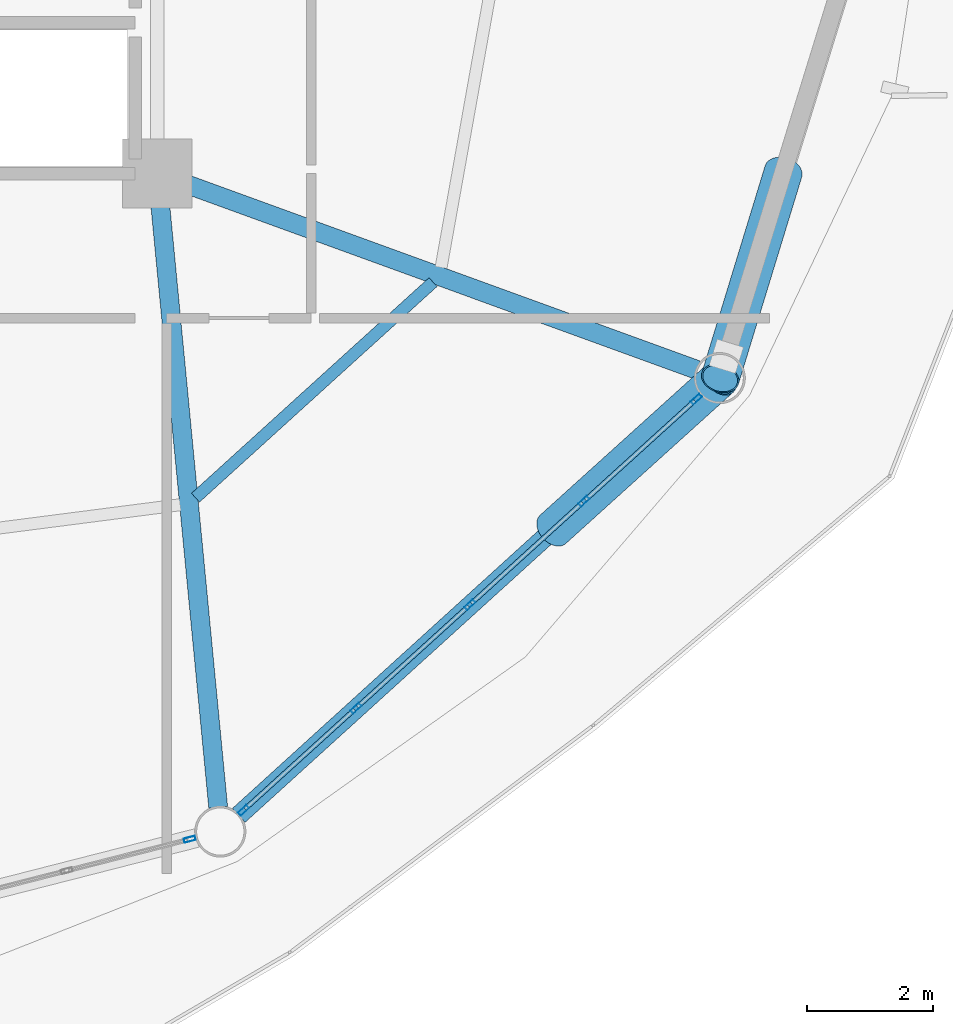
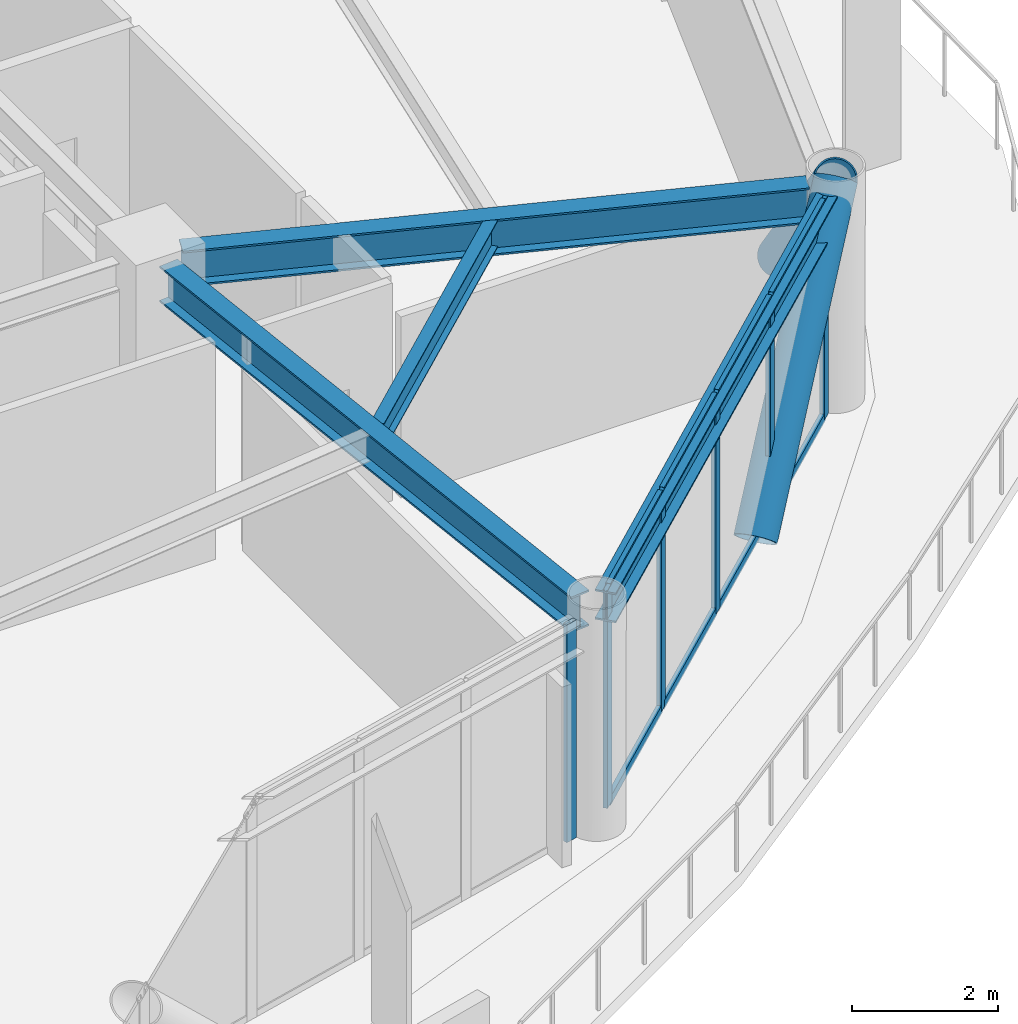
# One storey, part 11 of 23: 16 members, 4 beams, 2 elements without a shape of their own.
"""IFC4 building model written with IfcOpenShell, lengths in metres."""

import ifcopenshell
import ifcopenshell.guid

model = None  # the IFC model being written
_history = None  # IfcOwnerHistory: only IFC2X3 demands one
_inside = {}  # id of a spatial element -> (the spatial element, [elements in it])
_under = {}  # id of a project, library or spatial element -> (it, [spatial elements below it])
_declared = {}  # id of a project -> (the project, [libraries it declares])
_typed = {}  # id of a type object -> (the type object, [elements of that type])
_made_of = {}  # id of a material, layer set ... -> (it, [elements and type objects made of it])


def new_model(schema):
    """Start an empty IFC model of exactly this schema.

    Asked for "IFC4X3", IfcOpenShell would pick the latest addendum, in which some entities
    have other attributes; the version numbers below select the first issue.
    IFC2X3 requires an IfcOwnerHistory on every rooted entity: one is made here for all.
    """
    global model, _history
    if schema == "IFC4X3":
        model = ifcopenshell.file(schema_version=(4, 3, 0, 0))
    else:
        model = ifcopenshell.file(schema=schema)
    _inside.clear()
    _under.clear()
    _declared.clear()
    _typed.clear()
    _made_of.clear()
    _history = None
    if model.schema == "IFC2X3":
        org = make("IfcOrganization", Name="unknown")
        user = make(
            "IfcPersonAndOrganization",
            ThePerson=make("IfcPerson", FamilyName="unknown"),
            TheOrganization=org,
        )
        app = make(
            "IfcApplication",
            ApplicationDeveloper=org,
            Version="unknown",
            ApplicationFullName="unknown",
            ApplicationIdentifier="unknown",
        )
        _history = make(
            "IfcOwnerHistory",
            OwningUser=user,
            OwningApplication=app,
            ChangeAction="ADDED",
            CreationDate=0,
        )
    return model


def make(cls, **values):
    """One entity of the class cls with the attributes given. An attribute that is None is left unset."""
    return model.create_entity(
        cls, **{name: value for name, value in values.items() if value is not None}
    )


def rooted(cls, **values):
    """An entity with a GlobalId (a new one), such as an element, a storey or a relation."""
    return make(cls, GlobalId=ifcopenshell.guid.new(), OwnerHistory=_history, **values)


def si_unit(unit_type, name, prefix=None):
    """IfcSIUnit, for example si_unit("LENGTHUNIT", "METRE", prefix="MILLI")."""
    return make("IfcSIUnit", UnitType=unit_type, Prefix=prefix, Name=name)


def assignment(units):
    """IfcUnitAssignment: the units of a project."""
    return None if units is None else make("IfcUnitAssignment", Units=units)


def point(xyz):
    """IfcCartesianPoint."""
    return None if xyz is None else make("IfcCartesianPoint", Coordinates=xyz)


def direction(xyz):
    """IfcDirection."""
    return None if xyz is None else make("IfcDirection", DirectionRatios=xyz)


def frame(location, z_axis=None, x_axis=None):
    """IfcAxis2Placement3D, a coordinate frame: its origin and axes. An axis left out is left unset."""
    return make(
        "IfcAxis2Placement3D",
        Location=point(location),
        Axis=direction(z_axis),
        RefDirection=direction(x_axis),
    )


def frame_2d(location, x_axis=None):
    """IfcAxis2Placement2D, a coordinate frame in the plane: its origin and x axis."""
    return make(
        "IfcAxis2Placement2D", Location=point(location), RefDirection=direction(x_axis)
    )


def origin():
    """The frame at (0, 0, 0) with its axes left unset."""
    return frame((0.0, 0.0, 0.0))


def origin_2d():
    """The frame at (0, 0) in the plane with its x axis left unset."""
    return frame_2d((0.0, 0.0))


def place(relative_to, where):
    """IfcLocalPlacement: puts the frame where relative to a parent placement (None: the world)."""
    return make(
        "IfcLocalPlacement", PlacementRelTo=relative_to, RelativePlacement=where
    )


def context(
    kind, dimensions, precision=None, world=None, true_north=None, identifier=None
):
    """IfcGeometricRepresentationContext, for example the 3D "Model" context."""
    return make(
        "IfcGeometricRepresentationContext",
        ContextIdentifier=identifier,
        ContextType=kind,
        CoordinateSpaceDimension=dimensions,
        Precision=precision,
        WorldCoordinateSystem=world,
        TrueNorth=true_north,
    )


def subcontext(parent, identifier, kind, view, scale=None):
    """IfcGeometricRepresentationSubContext, for example "Body" below "Model"."""
    return make(
        "IfcGeometricRepresentationSubContext",
        ContextIdentifier=identifier,
        ContextType=kind,
        ParentContext=parent,
        TargetScale=scale,
        TargetView=view,
    )


def project(units=None, contexts=None):
    """IfcProject with its units and contexts."""
    return rooted(
        "IfcProject",
        Name="project",
        RepresentationContexts=contexts,
        UnitsInContext=assignment(units),
    )


def spatial(cls, under=None, at=None, **own):
    """A site, building, storey or space (cls), placed at a placement, below another one or the project."""
    s = rooted(cls, ObjectPlacement=at, **own)
    if under is not None:
        _under.setdefault(under.id(), (under, []))[1].append(s)
    return s


def profile(cls, at=None, kind="AREA", **sizes):
    """A parametric profile (cls). Its sizes go by their IFC names, for example OverallWidth=200.0."""
    return make(cls, ProfileType=kind, Position=at, **sizes)


def hollow_rectangle(**sizes):
    """IfcRectangleHollowProfileDef."""
    return profile("IfcRectangleHollowProfileDef", **sizes)


def hollow_circle(**sizes):
    """IfcCircleHollowProfileDef."""
    return profile("IfcCircleHollowProfileDef", **sizes)


def i_section(**sizes):
    """IfcIShapeProfileDef."""
    return profile("IfcIShapeProfileDef", **sizes)


def extrude(swept, where, along, depth):
    """IfcExtrudedAreaSolid: the profile swept, set in the frame where, extruded along a direction by depth."""
    return make(
        "IfcExtrudedAreaSolid",
        SweptArea=swept,
        Position=where,
        ExtrudedDirection=direction(along),
        Depth=depth,
    )


def shape(context_of_items, identifier, shape_type, items):
    """IfcShapeRepresentation: the items that make up one representation, for example the "Body"."""
    return make(
        "IfcShapeRepresentation",
        ContextOfItems=context_of_items,
        RepresentationIdentifier=identifier,
        RepresentationType=shape_type,
        Items=items,
    )


def material(Name=None, Category=None):
    """IfcMaterial."""
    return make("IfcMaterial", Name=Name, Category=Category)


def layer(
    of_material, thickness, ventilated=None, Name=None, Category=None, Priority=None
):
    """IfcMaterialLayer: one layer of a wall or slab, of a material (None: an air gap)."""
    return make(
        "IfcMaterialLayer",
        Material=of_material,
        LayerThickness=thickness,
        IsVentilated=ventilated,
        Name=Name,
        Category=Category,
        Priority=Priority,
    )


def layer_set(layers, Name=None):
    """IfcMaterialLayerSet."""
    return make("IfcMaterialLayerSet", MaterialLayers=layers, LayerSetName=Name)


def material_profile(
    of_material, cross_section, Name=None, Category=None, Priority=None
):
    """IfcMaterialProfile: a cross section and its material."""
    return make(
        "IfcMaterialProfile",
        Name=Name,
        Material=of_material,
        Profile=cross_section,
        Priority=Priority,
        Category=Category,
    )


def profile_set(profiles, Name=None, composite=None):
    """IfcMaterialProfileSet."""
    return make(
        "IfcMaterialProfileSet",
        Name=Name,
        MaterialProfiles=profiles,
        CompositeProfile=composite,
    )


def made_of(thing, what):
    """Note that an element or type object is made of a material, layer set ...; save() writes the relation."""
    if what is not None:
        _made_of.setdefault(what.id(), (what, []))[1].append(thing)
    return thing


def type_object(cls, material=None, **own):
    """A type object (cls), such as IfcWallType, which elements share."""
    return made_of(rooted(cls, **own), material)


def element(
    cls,
    number,
    at=None,
    inside=None,
    cuts=None,
    type_object=None,
    material=None,
    context=None,
    identifier="Body",
    shape_type=None,
    held_by="IfcProductDefinitionShape",
    body=None,
    shapes=None,
    **own,
):
    """One element of the class cls, such as IfcWall. Its Tag is "e" and its number.

    at: its placement. inside: the storey or other place that contains it. cuts: it is an
    opening in that element (IfcRelVoidsElement). A single representation is given by context,
    identifier, shape_type and body (its items); several are given by shapes. held_by: the class
    of the entity that holds the representations. save() writes the other relations.
    """
    e = rooted(cls, Tag="e%d" % number, ObjectPlacement=at, **own)
    if body is not None:
        shapes = [shape(context, identifier, shape_type, body)]
    if shapes is not None:
        e.Representation = make(held_by, Representations=shapes)
    if inside is not None:
        _inside.setdefault(inside.id(), (inside, []))[1].append(e)
    if cuts is not None:
        rooted(
            "IfcRelVoidsElement", RelatingBuildingElement=cuts, RelatedOpeningElement=e
        )
    if type_object is not None:
        _typed.setdefault(type_object.id(), (type_object, []))[1].append(e)
    return made_of(e, material)


def aggregate(whole, parts):
    """IfcRelAggregates: a whole, such as a stair, and the parts it consists of."""
    return rooted("IfcRelAggregates", RelatingObject=whole, RelatedObjects=parts)


def save(model, path):
    """Write the relations noted so far, then the file.

    IfcRelAggregates (storeys below a building ...), IfcRelContainedInSpatialStructure (elements
    in a storey), IfcRelDefinesByType, IfcRelAssociatesMaterial and IfcRelDeclares: one each for
    every whole, place, type object, material and project.
    """
    for whole, parts in _under.values():
        aggregate(whole, parts)
    for where, things in _inside.values():
        rooted(
            "IfcRelContainedInSpatialStructure",
            RelatedElements=things,
            RelatingStructure=where,
        )
    for kind, things in _typed.values():
        rooted("IfcRelDefinesByType", RelatedObjects=things, RelatingType=kind)
    for what, things in _made_of.values():
        rooted("IfcRelAssociatesMaterial", RelatedObjects=things, RelatingMaterial=what)
    for by, libraries in _declared.values():
        rooted("IfcRelDeclares", RelatingContext=by, RelatedDefinitions=libraries)
    model.write(path)


model = new_model("IFC4")

# Units and contexts
model_context = context("Model", 3, precision=1e-05, world=origin(), true_north=direction((0.0, 1.0)))
body_context = subcontext(model_context, "Body", "Model", "MODEL_VIEW")
ifc_project = project(units=[si_unit("LENGTHUNIT", "METRE"), si_unit("AREAUNIT", "SQUARE_METRE"), si_unit("VOLUMEUNIT", "CUBIC_METRE"), si_unit("PLANEANGLEUNIT", "RADIAN"), si_unit("MASSUNIT", "GRAM", prefix="KILO")], contexts=[model_context])

# Site, building, storey
site_placement = place(None, origin())
site = spatial("IfcSite", under=ifc_project, at=site_placement, CompositionType="ELEMENT")
building_placement = place(site_placement, origin())
building = spatial("IfcBuilding", under=site, at=building_placement, Name="Varnakorn Sky Granary", CompositionType="ELEMENT")
storey_placement = place(building_placement, frame((0.0, 0.0, 83.699951171875)))
storey = spatial("IfcBuildingStorey", under=building, at=storey_placement, Name="L20", CompositionType="ELEMENT", Elevation=83.699951171875)

# Beams
ifc_material_1 = material(Name="Steel S355JR", Category="steel")
ifc_material_profile_1 = material_profile(ifc_material_1, i_section(OverallWidth=0.300048828125, OverallDepth=0.60009765625, WebThickness=0.015380859375, FlangeThickness=0.030029296875, at=origin_2d()), Name="HE 600 B")
ifc_profile_set_1 = profile_set([ifc_material_profile_1], Name="Steel S355JR")
beam_type_1 = type_object("IfcBeamType", Name="BM-RAD-Z2", PredefinedType="BEAM", material=ifc_profile_set_1)
beam_1_placement = place(storey_placement, frame((8.39013671875, -7.01806640625, 3.340087890625), z_axis=(0.095764145217, -0.99540405288, 0.0), x_axis=(0.99540405288, 0.095764145217, 0.0)))
element("IfcBeam", 1, at=beam_1_placement, inside=storey, type_object=beam_type_1, Name="Radial Floor Girder RG11 L20", PredefinedType="BEAM", context=body_context, shape_type="SweptSolid", body=[
    extrude(i_section(OverallWidth=0.300048828125, OverallDepth=0.60009765625, WebThickness=0.015380859375, FlangeThickness=0.030029296875, at=origin_2d()), origin(), (0.0, 0.0, 1.0), 9.710693359375),
])
beam_2_placement = place(storey_placement, frame((8.74462890625, -6.74365234375, 3.340087890625), z_axis=(0.939768892469, -0.341810515852, 0.0), x_axis=(0.341810515852, 0.939768892469, 0.0)))
element("IfcBeam", 2, at=beam_2_placement, inside=storey, type_object=beam_type_1, Name="Radial Floor Girder RG12 L20", PredefinedType="BEAM", context=body_context, shape_type="SweptSolid", body=[
    extrude(i_section(OverallWidth=0.300048828125, OverallDepth=0.60009765625, WebThickness=0.015380859375, FlangeThickness=0.030029296875, at=origin_2d()), origin(), (0.0, 0.0, 1.0), 8.71826171875),
])
ifc_material_profile_2 = material_profile(ifc_material_1, i_section(OverallWidth=0.18994140625, OverallDepth=0.449951171875, WebThickness=0.009521484375, FlangeThickness=0.0146484375, at=origin_2d()), Name="IPE 450")
ifc_profile_set_2 = profile_set([ifc_material_profile_2], Name="Steel S355JR")
beam_type_2 = type_object("IfcBeamType", Name="BM-SEC-Z2", PredefinedType="BEAM", material=ifc_profile_set_2)
beam_3_placement = place(storey_placement, frame((8.958740234375, -11.757080078125, 3.4150390625), z_axis=(0.740509158013, 0.672046268421, 0.0), x_axis=(-0.672046268421, 0.740509158013, 0.0)))
element("IfcBeam", 3, at=beam_3_placement, inside=storey, type_object=beam_type_2, Name="Secondary Floor Chord Beam MSB11 L20", PredefinedType="BEAM", context=body_context, shape_type="SweptSolid", body=[
    extrude(i_section(OverallWidth=0.18994140625, OverallDepth=0.449951171875, WebThickness=0.009521484375, FlangeThickness=0.0146484375, at=origin_2d()), origin(), (0.0, 0.0, 1.0), 5.10302734375),
])
ifc_material_profile_3 = material_profile(ifc_material_1, i_section(OverallWidth=0.300048828125, OverallDepth=0.5, WebThickness=0.014404296875, FlangeThickness=0.028076171875, at=origin_2d()), Name="HE 500 B")
ifc_profile_set_3 = profile_set([ifc_material_profile_3], Name="Steel S355JR")
beam_type_3 = type_object("IfcBeamType", Name="BM-SPD-Z2", PredefinedType="SPANDREL", material=ifc_profile_set_3)
beam_4_placement = place(storey_placement, frame((9.6474609375, -16.810546875, 3.39013671875), z_axis=(0.740370602022, 0.67219890781, 0.0), x_axis=(-0.67219890781, 0.740370602022, 0.0)))
element("IfcBeam", 4, at=beam_4_placement, inside=storey, type_object=beam_type_3, Name="Perimeter Spandrel Ring Beam RB11 L20", PredefinedType="SPANDREL", context=body_context, shape_type="SweptSolid", body=[
    extrude(i_section(OverallWidth=0.300048828125, OverallDepth=0.5, WebThickness=0.014404296875, FlangeThickness=0.028076171875, at=origin_2d()), origin(), (0.0, 0.0, 1.0), 9.952392578125),
])

# Curtain wall, member
ifc_material_2 = material(Name="Anodised Bronze Aluminium Alloy 6063-T6", Category="aluminium")
ifc_layer = layer(ifc_material_2, 0.18994140625, Name="Anodised Bronze Aluminium Alloy 6063-T6")
ifc_layer_set = layer_set([ifc_layer], Name="Anodised Bronze Aluminium Alloy 6063-T6")
curtain_wall_type = type_object("IfcCurtainWallType", Name="CW-FRM-1", PredefinedType="USERDEFINED", material=ifc_layer_set)
curtain_wall_1_placement = place(storey_placement, origin())
curtain_wall_1 = element("IfcCurtainWall", 5, at=curtain_wall_1_placement, inside=storey, type_object=curtain_wall_type, Name="Unitised Curtain Wall CW3 CW-L20-B10", ObjectType="CURTAIN WALL", PredefinedType="USERDEFINED")
ifc_material_profile_4 = material_profile(ifc_material_2, hollow_rectangle(XDim=0.070068359375, YDim=0.18505859375, WallThickness=0.00390625, at=origin_2d()), Name="ALU MULL 70x185")
ifc_profile_set_4 = profile_set([ifc_material_profile_4], Name="Anodised Bronze Aluminium Alloy 6063-T6")
member_type_1 = type_object("IfcMemberType", Name="CW-FRM-1-MULL", PredefinedType="MULLION", material=ifc_profile_set_4)
member_1_placement = place(storey_placement, frame((8.86669921875, -17.191162109375, 0.0), z_axis=(0.0, 0.0, 1.0), x_axis=(0.247745034815, -0.968825266869, 0.0)))
member_1 = element("IfcMember", 6, at=member_1_placement, type_object=member_type_1, Name="CW3 mullion 1", PredefinedType="MULLION", context=body_context, shape_type="SweptSolid", body=[
    extrude(hollow_rectangle(XDim=0.070068359375, YDim=0.18505859375, WallThickness=0.00390625, at=origin_2d()), origin(), (0.0, 0.0, 1.0), 3.64013671875),
])
aggregate(curtain_wall_1, [member_1])

# Curtain wall, members
curtain_wall_2_placement = place(storey_placement, origin())
curtain_wall_2 = element("IfcCurtainWall", 7, at=curtain_wall_2_placement, inside=storey, type_object=curtain_wall_type, Name="Unitised Curtain Wall CW3 CW-L20-B11", ObjectType="CURTAIN WALL", PredefinedType="USERDEFINED")
member_2_placement = place(storey_placement, frame((16.92578125, -10.190673828125, 0.0), z_axis=(0.0, 0.0, 1.0), x_axis=(0.672210876204, -0.740359735476, 0.0)))
member_2 = element("IfcMember", 8, at=member_2_placement, type_object=member_type_1, Name="CW3 mullion 1", PredefinedType="MULLION", context=body_context, shape_type="SweptSolid", body=[
    extrude(hollow_rectangle(XDim=0.070068359375, YDim=0.18505859375, WallThickness=0.00390625, at=origin_2d()), origin(), (0.0, 0.0, 1.0), 3.64013671875),
])
member_3_placement = place(storey_placement, frame((15.13818359375, -11.813720703125, 0.0), z_axis=(0.0, 0.0, 1.0), x_axis=(0.672210876204, -0.740359735476, 0.0)))
member_3 = element("IfcMember", 9, at=member_3_placement, type_object=member_type_1, Name="CW3 mullion 2", PredefinedType="MULLION", context=body_context, shape_type="SweptSolid", body=[
    extrude(hollow_rectangle(XDim=0.070068359375, YDim=0.18505859375, WallThickness=0.00390625, at=origin_2d()), origin(), (0.0, 0.0, 1.0), 3.64013671875),
])
member_4_placement = place(storey_placement, frame((13.32470703125, -13.460205078125, 0.0), z_axis=(0.0, 0.0, 1.0), x_axis=(0.672210876204, -0.740359735476, 0.0)))
member_4 = element("IfcMember", 10, at=member_4_placement, type_object=member_type_1, Name="CW3 mullion 3", PredefinedType="MULLION", context=body_context, shape_type="SweptSolid", body=[
    extrude(hollow_rectangle(XDim=0.070068359375, YDim=0.18505859375, WallThickness=0.00390625, at=origin_2d()), origin(), (0.0, 0.0, 1.0), 3.64013671875),
])
member_5_placement = place(storey_placement, frame((11.51123046875, -15.106689453125, 0.0), z_axis=(0.0, 0.0, 1.0), x_axis=(0.672210876204, -0.740359735476, 0.0)))
member_5 = element("IfcMember", 11, at=member_5_placement, type_object=member_type_1, Name="CW3 mullion 4", PredefinedType="MULLION", context=body_context, shape_type="SweptSolid", body=[
    extrude(hollow_rectangle(XDim=0.070068359375, YDim=0.18505859375, WallThickness=0.00390625, at=origin_2d()), origin(), (0.0, 0.0, 1.0), 3.64013671875),
])
member_6_placement = place(storey_placement, frame((9.723876953125, -16.729736328125, 0.0), z_axis=(0.0, 0.0, 1.0), x_axis=(0.672210876204, -0.740359735476, 0.0)))
member_6 = element("IfcMember", 12, at=member_6_placement, type_object=member_type_1, Name="CW3 mullion 5", PredefinedType="MULLION", context=body_context, shape_type="SweptSolid", body=[
    extrude(hollow_rectangle(XDim=0.070068359375, YDim=0.18505859375, WallThickness=0.00390625, at=origin_2d()), origin(), (0.0, 0.0, 1.0), 3.64013671875),
])
ifc_material_profile_5 = material_profile(ifc_material_2, hollow_rectangle(XDim=0.070068359375, YDim=0.139892578125, WallThickness=0.00341796875, at=origin_2d()), Name="ALU TRAN 70x140")
ifc_profile_set_5 = profile_set([ifc_material_profile_5], Name="Anodised Bronze Aluminium Alloy 6063-T6")
member_type_2 = type_object("IfcMemberType", Name="CW-FRM-1-TRAN", PredefinedType="USERDEFINED", material=ifc_profile_set_5)
member_7_placement = place(storey_placement, frame((16.89990234375, -10.214111328125, 0.03515625), z_axis=(-0.740387541262, -0.672180250189, 0.0), x_axis=(0.672180250189, -0.740387541262, 0.0)))
member_7 = element("IfcMember", 13, at=member_7_placement, type_object=member_type_2, Name="CW3 transom 1.1", ObjectType="TRANSOM", PredefinedType="USERDEFINED", context=body_context, shape_type="SweptSolid", body=[
    extrude(hollow_rectangle(XDim=0.070068359375, YDim=0.139892578125, WallThickness=0.00341796875, at=origin_2d()), origin(), (0.0, 0.0, 1.0), 2.344482421875),
])
member_8_placement = place(storey_placement, frame((16.89990234375, -10.214111328125, 3.60498046875), z_axis=(-0.740387541262, -0.672180250189, 0.0), x_axis=(0.672180250189, -0.740387541262, 0.0)))
member_8 = element("IfcMember", 14, at=member_8_placement, type_object=member_type_2, Name="CW3 transom 1.2", ObjectType="TRANSOM", PredefinedType="USERDEFINED", context=body_context, shape_type="SweptSolid", body=[
    extrude(hollow_rectangle(XDim=0.070068359375, YDim=0.139892578125, WallThickness=0.00341796875, at=origin_2d()), origin(), (0.0, 0.0, 1.0), 2.344482421875),
])
member_9_placement = place(storey_placement, frame((15.1123046875, -11.837158203125, 0.03515625), z_axis=(-0.740353171856, -0.672218105174, 0.0), x_axis=(0.672218105174, -0.740353171856, 0.0)))
member_9 = element("IfcMember", 15, at=member_9_placement, type_object=member_type_2, Name="CW3 transom 2.1", ObjectType="TRANSOM", PredefinedType="USERDEFINED", context=body_context, shape_type="SweptSolid", body=[
    extrude(hollow_rectangle(XDim=0.070068359375, YDim=0.139892578125, WallThickness=0.00341796875, at=origin_2d()), origin(), (0.0, 0.0, 1.0), 2.379150390625),
])
member_10_placement = place(storey_placement, frame((15.1123046875, -11.837158203125, 3.60498046875), z_axis=(-0.740353171856, -0.672218105174, 0.0), x_axis=(0.672218105174, -0.740353171856, 0.0)))
member_10 = element("IfcMember", 16, at=member_10_placement, type_object=member_type_2, Name="CW3 transom 2.2", ObjectType="TRANSOM", PredefinedType="USERDEFINED", context=body_context, shape_type="SweptSolid", body=[
    extrude(hollow_rectangle(XDim=0.070068359375, YDim=0.139892578125, WallThickness=0.00341796875, at=origin_2d()), origin(), (0.0, 0.0, 1.0), 2.379150390625),
])
member_11_placement = place(storey_placement, frame((13.298828125, -13.483642578125, 0.03515625), z_axis=(-0.740302104901, -0.67227434391, 0.0), x_axis=(0.67227434391, -0.740302104901, 0.0)))
member_11 = element("IfcMember", 17, at=member_11_placement, type_object=member_type_2, Name="CW3 transom 3.1", ObjectType="TRANSOM", PredefinedType="USERDEFINED", context=body_context, shape_type="SweptSolid", body=[
    extrude(hollow_rectangle(XDim=0.070068359375, YDim=0.139892578125, WallThickness=0.00341796875, at=origin_2d()), origin(), (0.0, 0.0, 1.0), 2.37939453125),
])
member_12_placement = place(storey_placement, frame((13.298828125, -13.483642578125, 3.60498046875), z_axis=(-0.740302104901, -0.67227434391, 0.0), x_axis=(0.67227434391, -0.740302104901, 0.0)))
member_12 = element("IfcMember", 18, at=member_12_placement, type_object=member_type_2, Name="CW3 transom 3.2", ObjectType="TRANSOM", PredefinedType="USERDEFINED", context=body_context, shape_type="SweptSolid", body=[
    extrude(hollow_rectangle(XDim=0.070068359375, YDim=0.139892578125, WallThickness=0.00341796875, at=origin_2d()), origin(), (0.0, 0.0, 1.0), 2.37939453125),
])
member_13_placement = place(storey_placement, frame((11.4853515625, -15.130126953125, 0.03515625), z_axis=(-0.740340485672, -0.672232076946, 0.0), x_axis=(0.672232076946, -0.740340485672, 0.0)))
member_13 = element("IfcMember", 19, at=member_13_placement, type_object=member_type_2, Name="CW3 transom 4.1", ObjectType="TRANSOM", PredefinedType="USERDEFINED", context=body_context, shape_type="SweptSolid", body=[
    extrude(hollow_rectangle(XDim=0.070068359375, YDim=0.139892578125, WallThickness=0.00341796875, at=origin_2d()), origin(), (0.0, 0.0, 1.0), 2.34423828125),
])
member_14_placement = place(storey_placement, frame((11.4853515625, -15.130126953125, 3.60498046875), z_axis=(-0.740340485672, -0.672232076946, 0.0), x_axis=(0.672232076946, -0.740340485672, 0.0)))
member_14 = element("IfcMember", 20, at=member_14_placement, type_object=member_type_2, Name="CW3 transom 4.2", ObjectType="TRANSOM", PredefinedType="USERDEFINED", context=body_context, shape_type="SweptSolid", body=[
    extrude(hollow_rectangle(XDim=0.070068359375, YDim=0.139892578125, WallThickness=0.00341796875, at=origin_2d()), origin(), (0.0, 0.0, 1.0), 2.34423828125),
])
aggregate(curtain_wall_2, [member_2, member_3, member_4, member_5, member_6, member_7, member_8, member_9, member_10, member_11, member_12, member_13, member_14])

# Members
ifc_material_3 = material(Name="Steel S460M", Category="steel")
ifc_material_profile_6 = material_profile(ifc_material_3, hollow_circle(Radius=0.304931640625, WallThickness=0.022216796875, at=origin_2d()), Name="CHS 610x22")
ifc_profile_set_6 = profile_set([ifc_material_profile_6], Name="Steel S460M")
member_type_3 = type_object("IfcMemberType", Name="MB-DIAG-T1", PredefinedType="BRACE", material=ifc_profile_set_6)
member_15_placement = place(storey_placement, frame((14.64892578125, -12.2578125, 0.0), z_axis=(0.520321998691, 0.470116328904, 0.71292051098), x_axis=(-0.670402536768, 0.741997600195, 0.0)))
element("IfcMember", 21, at=member_15_placement, inside=storey, type_object=member_type_3, Name="Perimeter CHS Diagrid Brace DG11 L20", PredefinedType="BRACE", context=body_context, shape_type="SweptSolid", body=[
    extrude(hollow_circle(Radius=0.304931640625, WallThickness=0.022216796875, at=origin_2d()), origin(), (0.0, 0.0, 1.0), 5.10595703125),
])
member_16_placement = place(storey_placement, frame((18.311279296875, -6.569091796875, 0.0), z_axis=(-0.200822151392, -0.656682096893, 0.726938159082), x_axis=(0.956282650096, -0.292443999981, 0.0)))
element("IfcMember", 22, at=member_16_placement, inside=storey, type_object=member_type_3, Name="Perimeter CHS Diagrid Brace DG12 L20", PredefinedType="BRACE", context=body_context, shape_type="SweptSolid", body=[
    extrude(hollow_circle(Radius=0.304931640625, WallThickness=0.022216796875, at=origin_2d()), origin(), (0.0, 0.0, 1.0), 5.007568359375),
])

save(model, "model.ifc")
